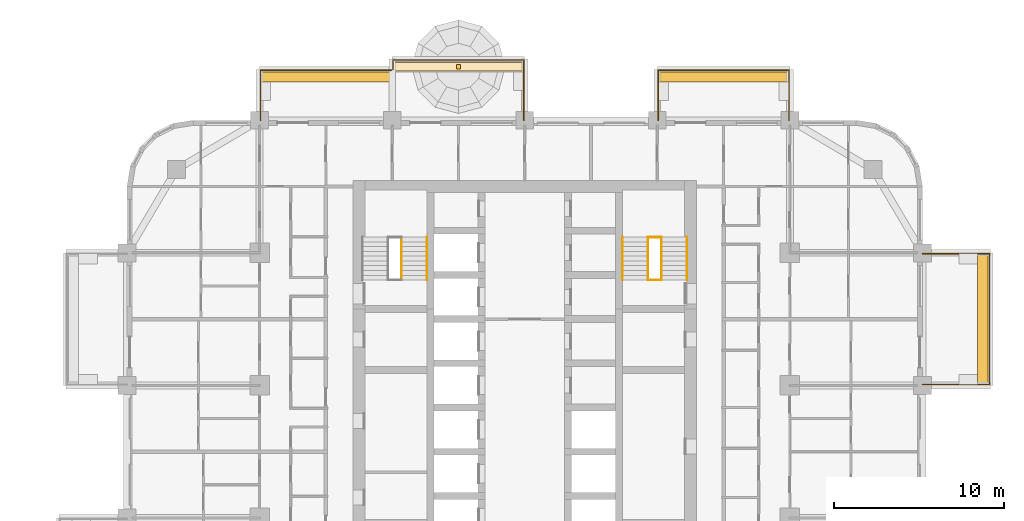
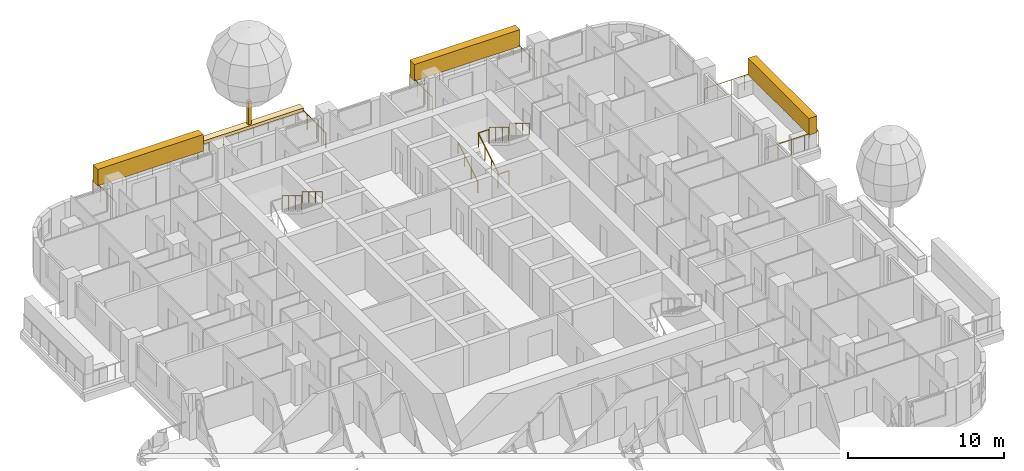
# One storey, part 17 of 18: 12 railings, 5 coverings, 2 elements without a shape of their own.
"""IFC4 building model written with IfcOpenShell, lengths in metres."""

from ifc_helpers import new_model, si_unit, direction, frame, origin, origin_2d, place, context, subcontext, project, spatial, rectangle, circle, extrude, material, layer, layer_set, type_object, element, aggregate, save


model = new_model("IFC4")

# Units and contexts
model_context = context("Model", 3, precision=1e-05, world=origin(), true_north=direction((0.0, 1.0)))
body_context = subcontext(model_context, "Body", "Model", "MODEL_VIEW")
ifc_project = project(units=[si_unit("LENGTHUNIT", "METRE"), si_unit("AREAUNIT", "SQUARE_METRE"), si_unit("VOLUMEUNIT", "CUBIC_METRE"), si_unit("PLANEANGLEUNIT", "RADIAN"), si_unit("MASSUNIT", "GRAM", prefix="KILO")], contexts=[model_context])

# Site, building, storey
site_placement = place(None, origin())
site = spatial("IfcSite", under=ifc_project, at=site_placement, CompositionType="ELEMENT")
building_placement = place(site_placement, origin())
building = spatial("IfcBuilding", under=site, at=building_placement, Name="Ludao Terraces", CompositionType="ELEMENT")
storey_placement = place(building_placement, frame((0.0, 0.0, 26.300048828125)))
storey = spatial("IfcBuildingStorey", under=building, at=storey_placement, Name="L06", CompositionType="ELEMENT", Elevation=26.300048828125)

# Railings
ifc_material_1 = material(Name="Stainless steel 304", Category="steel")
railing_type_1 = type_object("IfcRailingType", Name="ENV Balcony glass guard 1200", PredefinedType="GUARDRAIL", material=ifc_material_1)
railing_1_placement = place(storey_placement, frame((108.39990234375, 72.85009765625, 0.0)))
element("IfcRailing", 1, at=railing_1_placement, inside=storey, type_object=railing_type_1, Name="Balcony guard L06 E4", PredefinedType="GUARDRAIL", context=body_context, shape_type="SweptSolid", body=[
    extrude(circle(Radius=0.02392578125, at=origin_2d()), frame((0.0, 0.0, 1.17578125), z_axis=(1.0, 0.0, 0.0), x_axis=(0.0, 1.0, 0.0)), (0.0, 0.0, 1.0), 3.9501953125),
    extrude(circle(Radius=0.02392578125, at=origin_2d()), frame((3.9501953125, 0.0, 1.17578125), z_axis=(0.0, 1.0, 0.0), x_axis=(-1.0, 0.0, 0.0)), (0.0, 0.0, 1.0), 7.699951171875),
    extrude(circle(Radius=0.02392578125, at=origin_2d()), frame((3.9501953125, 7.699951171875, 1.17578125), z_axis=(-1.0, 0.0, 0.0), x_axis=(0.0, -1.0, 0.0)), (0.0, 0.0, 1.0), 3.9501953125),
    extrude(circle(Radius=0.02099609375, at=origin_2d()), origin(), (0.0, 0.0, 1.0), 1.15185546875),
    extrude(circle(Radius=0.02099609375, at=origin_2d()), frame((0.987548828125, 0.0, 0.0)), (0.0, 0.0, 1.0), 1.15185546875),
    extrude(circle(Radius=0.02099609375, at=origin_2d()), frame((1.97509765625, 0.0, 0.0)), (0.0, 0.0, 1.0), 1.15185546875),
    extrude(circle(Radius=0.02099609375, at=origin_2d()), frame((2.962646484375, 0.0, 0.0)), (0.0, 0.0, 1.0), 1.15185546875),
    extrude(circle(Radius=0.02099609375, at=origin_2d()), frame((3.9501953125, 0.0, 0.0)), (0.0, 0.0, 1.0), 1.15185546875),
    extrude(circle(Radius=0.02099609375, at=origin_2d()), frame((3.9501953125, 1.10009765625, 0.0)), (0.0, 0.0, 1.0), 1.15185546875),
    extrude(circle(Radius=0.02099609375, at=origin_2d()), frame((3.9501953125, 2.199951171875, 0.0)), (0.0, 0.0, 1.0), 1.15185546875),
    extrude(circle(Radius=0.02099609375, at=origin_2d()), frame((3.9501953125, 3.300048828125, 0.0)), (0.0, 0.0, 1.0), 1.15185546875),
    extrude(circle(Radius=0.02099609375, at=origin_2d()), frame((3.9501953125, 4.39990234375, 0.0)), (0.0, 0.0, 1.0), 1.15185546875),
    extrude(circle(Radius=0.02099609375, at=origin_2d()), frame((3.9501953125, 5.5, 0.0)), (0.0, 0.0, 1.0), 1.15185546875),
    extrude(circle(Radius=0.02099609375, at=origin_2d()), frame((3.9501953125, 6.599853515625, 0.0)), (0.0, 0.0, 1.0), 1.15185546875),
    extrude(circle(Radius=0.02099609375, at=origin_2d()), frame((3.9501953125, 7.699951171875, 0.0)), (0.0, 0.0, 1.0), 1.15185546875),
    extrude(circle(Radius=0.02099609375, at=origin_2d()), frame((2.962646484375, 7.699951171875, 0.0)), (0.0, 0.0, 1.0), 1.15185546875),
    extrude(circle(Radius=0.02099609375, at=origin_2d()), frame((1.97509765625, 7.699951171875, 0.0)), (0.0, 0.0, 1.0), 1.15185546875),
    extrude(circle(Radius=0.02099609375, at=origin_2d()), frame((0.987548828125, 7.699951171875, 0.0)), (0.0, 0.0, 1.0), 1.15185546875),
    extrude(circle(Radius=0.02099609375, at=origin_2d()), frame((0.0, 7.699951171875, 0.0)), (0.0, 0.0, 1.0), 1.15185546875),
])
railing_2_placement = place(storey_placement, frame((69.449951171875, 88.39990234375, 0.0)))
element("IfcRailing", 2, at=railing_2_placement, inside=storey, type_object=railing_type_1, Name="Balcony guard L06 N1", PredefinedType="GUARDRAIL", context=body_context, shape_type="SweptSolid", body=[
    extrude(circle(Radius=0.02392578125, at=origin_2d()), frame((0.0, 0.0, 1.17578125), z_axis=(0.0, 1.0, 0.0), x_axis=(-1.0, 0.0, 0.0)), (0.0, 0.0, 1.0), 2.9501953125),
    extrude(circle(Radius=0.02392578125, at=origin_2d()), frame((0.0, 2.9501953125, 1.17578125), z_axis=(1.0, 0.0, 0.0), x_axis=(0.0, 1.0, 0.0)), (0.0, 0.0, 1.0), 7.699951171875),
    extrude(circle(Radius=0.02099609375, at=origin_2d()), origin(), (0.0, 0.0, 1.0), 1.15185546875),
    extrude(circle(Radius=0.02099609375, at=origin_2d()), frame((0.0, 0.9833984375, 0.0)), (0.0, 0.0, 1.0), 1.15185546875),
    extrude(circle(Radius=0.02099609375, at=origin_2d()), frame((0.0, 1.966796875, 0.0)), (0.0, 0.0, 1.0), 1.15185546875),
    extrude(circle(Radius=0.02099609375, at=origin_2d()), frame((0.0, 2.9501953125, 0.0)), (0.0, 0.0, 1.0), 1.15185546875),
    extrude(circle(Radius=0.02099609375, at=origin_2d()), frame((1.10009765625, 2.9501953125, 0.0)), (0.0, 0.0, 1.0), 1.15185546875),
    extrude(circle(Radius=0.02099609375, at=origin_2d()), frame((2.199951171875, 2.9501953125, 0.0)), (0.0, 0.0, 1.0), 1.15185546875),
    extrude(circle(Radius=0.02099609375, at=origin_2d()), frame((3.300048828125, 2.9501953125, 0.0)), (0.0, 0.0, 1.0), 1.15185546875),
    extrude(circle(Radius=0.02099609375, at=origin_2d()), frame((4.39990234375, 2.9501953125, 0.0)), (0.0, 0.0, 1.0), 1.15185546875),
    extrude(circle(Radius=0.02099609375, at=origin_2d()), frame((5.5, 2.9501953125, 0.0)), (0.0, 0.0, 1.0), 1.15185546875),
    extrude(circle(Radius=0.02099609375, at=origin_2d()), frame((6.599853515625, 2.9501953125, 0.0)), (0.0, 0.0, 1.0), 1.15185546875),
    extrude(circle(Radius=0.02099609375, at=origin_2d()), frame((7.699951171875, 2.9501953125, 0.0)), (0.0, 0.0, 1.0), 1.15185546875),
])
railing_3_placement = place(storey_placement, frame((77.25, 91.39990234375, 0.0)))
element("IfcRailing", 3, at=railing_3_placement, inside=storey, type_object=railing_type_1, Name="Balcony guard L06 N2", PredefinedType="GUARDRAIL", context=body_context, shape_type="SweptSolid", body=[
    extrude(circle(Radius=0.02392578125, at=origin_2d()), frame((0.0, 0.0, 1.17578125), z_axis=(0.0, 1.0, 0.0), x_axis=(-1.0, 0.0, 0.0)), (0.0, 0.0, 1.0), 0.550048828125),
    extrude(circle(Radius=0.02392578125, at=origin_2d()), frame((0.0, 0.550048828125, 1.17578125), z_axis=(1.0, 0.0, 0.0), x_axis=(0.0, 1.0, 0.0)), (0.0, 0.0, 1.0), 7.699951171875),
    extrude(circle(Radius=0.02392578125, at=origin_2d()), frame((7.699951171875, 0.550048828125, 1.17578125), z_axis=(0.0, -1.0, 0.0), x_axis=(1.0, 0.0, 0.0)), (0.0, 0.0, 1.0), 3.550048828125),
    extrude(circle(Radius=0.02099609375, at=origin_2d()), origin(), (0.0, 0.0, 1.0), 1.15185546875),
    extrude(circle(Radius=0.02099609375, at=origin_2d()), frame((0.0, 0.550048828125, 0.0)), (0.0, 0.0, 1.0), 1.15185546875),
    extrude(circle(Radius=0.02099609375, at=origin_2d()), frame((1.10009765625, 0.550048828125, 0.0)), (0.0, 0.0, 1.0), 1.15185546875),
    extrude(circle(Radius=0.02099609375, at=origin_2d()), frame((2.199951171875, 0.550048828125, 0.0)), (0.0, 0.0, 1.0), 1.15185546875),
    extrude(circle(Radius=0.02099609375, at=origin_2d()), frame((3.300048828125, 0.550048828125, 0.0)), (0.0, 0.0, 1.0), 1.15185546875),
    extrude(circle(Radius=0.02099609375, at=origin_2d()), frame((4.39990234375, 0.550048828125, 0.0)), (0.0, 0.0, 1.0), 1.15185546875),
    extrude(circle(Radius=0.02099609375, at=origin_2d()), frame((5.5, 0.550048828125, 0.0)), (0.0, 0.0, 1.0), 1.15185546875),
    extrude(circle(Radius=0.02099609375, at=origin_2d()), frame((6.599853515625, 0.550048828125, 0.0)), (0.0, 0.0, 1.0), 1.15185546875),
    extrude(circle(Radius=0.02099609375, at=origin_2d()), frame((7.699951171875, 0.550048828125, 0.0)), (0.0, 0.0, 1.0), 1.15185546875),
    extrude(circle(Radius=0.02099609375, at=origin_2d()), frame((7.699951171875, -0.63330078125, 0.0)), (0.0, 0.0, 1.0), 1.15185546875),
    extrude(circle(Radius=0.02099609375, at=origin_2d()), frame((7.699951171875, -1.816650390625, 0.0)), (0.0, 0.0, 1.0), 1.15185546875),
    extrude(circle(Radius=0.02099609375, at=origin_2d()), frame((7.699951171875, -3.0, 0.0)), (0.0, 0.0, 1.0), 1.15185546875),
])
railing_4_placement = place(storey_placement, frame((92.85009765625, 88.39990234375, 0.0)))
element("IfcRailing", 4, at=railing_4_placement, inside=storey, type_object=railing_type_1, Name="Balcony guard L06 N4", PredefinedType="GUARDRAIL", context=body_context, shape_type="SweptSolid", body=[
    extrude(circle(Radius=0.02392578125, at=origin_2d()), frame((0.0, 0.0, 1.17578125), z_axis=(0.0, 1.0, 0.0), x_axis=(-1.0, 0.0, 0.0)), (0.0, 0.0, 1.0), 2.9501953125),
    extrude(circle(Radius=0.02392578125, at=origin_2d()), frame((0.0, 2.9501953125, 1.17578125), z_axis=(1.0, 0.0, 0.0), x_axis=(0.0, 1.0, 0.0)), (0.0, 0.0, 1.0), 7.699951171875),
    extrude(circle(Radius=0.02392578125, at=origin_2d()), frame((7.699951171875, 2.9501953125, 1.17578125), z_axis=(0.0, -1.0, 0.0), x_axis=(1.0, 0.0, 0.0)), (0.0, 0.0, 1.0), 2.9501953125),
    extrude(circle(Radius=0.02099609375, at=origin_2d()), origin(), (0.0, 0.0, 1.0), 1.15185546875),
    extrude(circle(Radius=0.02099609375, at=origin_2d()), frame((0.0, 0.9833984375, 0.0)), (0.0, 0.0, 1.0), 1.15185546875),
    extrude(circle(Radius=0.02099609375, at=origin_2d()), frame((0.0, 1.966796875, 0.0)), (0.0, 0.0, 1.0), 1.15185546875),
    extrude(circle(Radius=0.02099609375, at=origin_2d()), frame((0.0, 2.9501953125, 0.0)), (0.0, 0.0, 1.0), 1.15185546875),
    extrude(circle(Radius=0.02099609375, at=origin_2d()), frame((1.10009765625, 2.9501953125, 0.0)), (0.0, 0.0, 1.0), 1.15185546875),
    extrude(circle(Radius=0.02099609375, at=origin_2d()), frame((2.199951171875, 2.9501953125, 0.0)), (0.0, 0.0, 1.0), 1.15185546875),
    extrude(circle(Radius=0.02099609375, at=origin_2d()), frame((3.300048828125, 2.9501953125, 0.0)), (0.0, 0.0, 1.0), 1.15185546875),
    extrude(circle(Radius=0.02099609375, at=origin_2d()), frame((4.39990234375, 2.9501953125, 0.0)), (0.0, 0.0, 1.0), 1.15185546875),
    extrude(circle(Radius=0.02099609375, at=origin_2d()), frame((5.5, 2.9501953125, 0.0)), (0.0, 0.0, 1.0), 1.15185546875),
    extrude(circle(Radius=0.02099609375, at=origin_2d()), frame((6.599853515625, 2.9501953125, 0.0)), (0.0, 0.0, 1.0), 1.15185546875),
    extrude(circle(Radius=0.02099609375, at=origin_2d()), frame((7.699951171875, 2.9501953125, 0.0)), (0.0, 0.0, 1.0), 1.15185546875),
    extrude(circle(Radius=0.02099609375, at=origin_2d()), frame((7.699951171875, 1.966796875, 0.0)), (0.0, 0.0, 1.0), 1.15185546875),
    extrude(circle(Radius=0.02099609375, at=origin_2d()), frame((7.699951171875, 0.9833984375, 0.0)), (0.0, 0.0, 1.0), 1.15185546875),
    extrude(circle(Radius=0.02099609375, at=origin_2d()), frame((7.699951171875, 0.0, 0.0)), (0.0, 0.0, 1.0), 1.15185546875),
])

# Coverings
ifc_material_2 = material(Name="Planting")
ifc_layer_1 = layer(ifc_material_2, 0.5)
ifc_layer_set_1 = layer_set([ifc_layer_1], Name="ENV Planting bed 250")
covering_type_1 = type_object("IfcCoveringType", Name="ENV Planting bed 250", PredefinedType="USERDEFINED", material=ifc_layer_set_1)
covering_1_placement = place(storey_placement, frame((81.10009765625, 91.550048828125, 1.099853515625), z_axis=(0.0, 0.0, 1.0), x_axis=(1.0, 0.0, 0.0)))
element("IfcCovering", 5, at=covering_1_placement, inside=storey, type_object=covering_type_1, Name="Planting bed L06-N2", ObjectType="PLANTING", PredefinedType="USERDEFINED", context=body_context, shape_type="SweptSolid", body=[
    extrude(rectangle(XDim=7.800048828125, YDim=0.5, at=origin_2d()), origin(), (0.0, 0.0, 1.0), 0.25),
])
ifc_layer_2 = layer(ifc_material_2, 0.60009765625)
ifc_layer_set_2 = layer_set([ifc_layer_2], Name="ENV Planting hedge 600x1300")
covering_type_2 = type_object("IfcCoveringType", Name="ENV Planting hedge 600x1300", PredefinedType="USERDEFINED", material=ifc_layer_set_2)
covering_2_placement = place(storey_placement, frame((111.949951171875, 76.699951171875, 1.10009765625), z_axis=(0.0, 0.0, 1.0), x_axis=(1.0, 0.0, 0.0)))
element("IfcCovering", 6, at=covering_2_placement, inside=storey, type_object=covering_type_2, Name="Planting hedge L06-E4", ObjectType="PLANTING", PredefinedType="USERDEFINED", context=body_context, shape_type="SweptSolid", body=[
    extrude(rectangle(XDim=0.60009765625, YDim=7.800048828125, at=origin_2d()), origin(), (0.0, 0.0, 1.0), 1.300048828125),
])
for number, where, z_axis, x_axis, name in (
    (7, (73.300048828125, 90.949951171875, 1.10009765625), (0.0, 0.0, 1.0), (1.0, 0.0, 0.0), "Planting hedge L06-N1"),
    (8, (96.699951171875, 90.949951171875, 1.10009765625), (0.0, 0.0, 1.0), (1.0, 0.0, 0.0), "Planting hedge L06-N4"),
):
    element("IfcCovering", number, at=place(storey_placement, frame(where, z_axis=z_axis, x_axis=x_axis)), inside=storey, type_object=covering_type_2, Name=name, ObjectType="PLANTING", PredefinedType="USERDEFINED", context=body_context, shape_type="SweptSolid", body=[
        extrude(rectangle(XDim=7.800048828125, YDim=0.60009765625, at=origin_2d()), origin(), (0.0, 0.0, 1.0), 1.300048828125),
    ])
ifc_material_3 = material(Name="Timber tree trunk", Category="wood")
ifc_layer_3 = layer(ifc_material_3, 0.25)
ifc_layer_set_3 = layer_set([ifc_layer_3], Name="ENV Tree trunk 250x1800")
covering_type_3 = type_object("IfcCoveringType", Name="ENV Tree trunk 250x1800", PredefinedType="USERDEFINED", material=ifc_layer_set_3)
covering_3_placement = place(storey_placement, frame((81.10009765625, 91.550048828125, 1.35009765625), z_axis=(0.0, 0.0, 1.0), x_axis=(1.0, 0.0, 0.0)))
element("IfcCovering", 9, at=covering_3_placement, inside=storey, type_object=covering_type_3, Name="Tree trunk L06 N2", ObjectType="PLANTING", PredefinedType="USERDEFINED", context=body_context, shape_type="SweptSolid", body=[
    extrude(rectangle(XDim=0.25, YDim=0.25, at=origin_2d()), origin(), (0.0, 0.0, 1.0), 1.800048828125),
])

# Stair, railing
ifc_material_4 = material(Name="Concrete C40", Category="concrete")
stair_type = type_object("IfcStairType", Name="INT Stair", PredefinedType="HALF_TURN_STAIR", material=ifc_material_4)
stair_1_placement = place(storey_placement, origin())
stair_1 = element("IfcStair", 10, at=stair_1_placement, inside=storey, type_object=stair_type, Name="EXIT STAIR 1", PredefinedType="HALF_TURN_STAIR")
railing_type_2 = type_object("IfcRailingType", Name="INT Stair guard 1100", PredefinedType="GUARDRAIL", material=ifc_material_1)
railing_5_placement = place(storey_placement, frame((77.75, 81.52001953125, 1.869873046875)))
railing_5 = element("IfcRailing", 11, at=railing_5_placement, type_object=railing_type_2, Name="ST-L06-S1-R2G", PredefinedType="GUARDRAIL", context=body_context, shape_type="SweptSolid", body=[
    extrude(circle(Radius=0.02392578125, at=origin_2d()), frame((0.0, 0.0, 1.076171875), z_axis=(0.0, -0.85478489116, 0.518982456201), x_axis=(1.0, 0.0, 0.0)), (0.0, 0.0, 1.0), 2.9482421875),
    extrude(circle(Radius=0.02099609375, at=origin_2d()), origin(), (0.0, 0.0, 1.0), 1.052001953125),
    extrude(circle(Radius=0.02099609375, at=origin_2d()), frame((0.0, -0.840087890625, 0.510009765625)), (0.0, 0.0, 1.0), 1.052001953125),
    extrude(circle(Radius=0.02099609375, at=origin_2d()), frame((0.0, -1.679931640625, 1.02001953125)), (0.0, 0.0, 1.0), 1.052001953125),
    extrude(circle(Radius=0.02099609375, at=origin_2d()), frame((0.0, -2.52001953125, 1.530029296875)), (0.0, 0.0, 1.0), 1.052001953125),
])

# Stair, railings
stair_2_placement = place(storey_placement, origin())
stair_2 = element("IfcStair", 12, at=stair_2_placement, inside=storey, type_object=stair_type, Name="EXIT STAIR 2", PredefinedType="HALF_TURN_STAIR")
railing_6_placement = place(storey_placement, frame((92.25, 79.0, 0.169921875)))
railing_6 = element("IfcRailing", 13, at=railing_6_placement, type_object=railing_type_2, Name="ST-L06-S2-R1G", PredefinedType="GUARDRAIL", context=body_context, shape_type="SweptSolid", body=[
    extrude(circle(Radius=0.02392578125, at=origin_2d()), frame((0.0, 0.0, 1.076171875), z_axis=(0.0, 0.85478489116, 0.518982456201), x_axis=(-1.0, 0.0, 0.0)), (0.0, 0.0, 1.0), 2.9482421875),
    extrude(circle(Radius=0.02099609375, at=origin_2d()), origin(), (0.0, 0.0, 1.0), 1.052001953125),
    extrude(circle(Radius=0.02099609375, at=origin_2d()), frame((0.0, 0.840087890625, 0.510009765625)), (0.0, 0.0, 1.0), 1.052001953125),
    extrude(circle(Radius=0.02099609375, at=origin_2d()), frame((0.0, 1.679931640625, 1.02001953125)), (0.0, 0.0, 1.0), 1.052001953125),
    extrude(circle(Radius=0.02099609375, at=origin_2d()), frame((0.0, 2.52001953125, 1.530029296875)), (0.0, 0.0, 1.0), 1.052001953125),
])
railing_7_placement = place(storey_placement, frame((93.050048828125, 81.52001953125, 1.869873046875)))
railing_7 = element("IfcRailing", 14, at=railing_7_placement, type_object=railing_type_2, Name="ST-L06-S2-R2G", PredefinedType="GUARDRAIL", context=body_context, shape_type="SweptSolid", body=[
    extrude(circle(Radius=0.02392578125, at=origin_2d()), frame((0.0, 0.0, 1.076171875), z_axis=(0.0, -0.85478489116, 0.518982456201), x_axis=(1.0, 0.0, 0.0)), (0.0, 0.0, 1.0), 2.9482421875),
    extrude(circle(Radius=0.02099609375, at=origin_2d()), origin(), (0.0, 0.0, 1.0), 1.052001953125),
    extrude(circle(Radius=0.02099609375, at=origin_2d()), frame((0.0, -0.840087890625, 0.510009765625)), (0.0, 0.0, 1.0), 1.052001953125),
    extrude(circle(Radius=0.02099609375, at=origin_2d()), frame((0.0, -1.679931640625, 1.02001953125)), (0.0, 0.0, 1.0), 1.052001953125),
    extrude(circle(Radius=0.02099609375, at=origin_2d()), frame((0.0, -2.52001953125, 1.530029296875)), (0.0, 0.0, 1.0), 1.052001953125),
])
railing_8_placement = place(storey_placement, frame((92.25, 81.52001953125, 1.699951171875)))
railing_8 = element("IfcRailing", 15, at=railing_8_placement, type_object=railing_type_2, Name="ST-L06-S2-E1G", PredefinedType="GUARDRAIL", context=body_context, shape_type="SweptSolid", body=[
    extrude(circle(Radius=0.02392578125, at=origin_2d()), frame((0.0, 0.0, 1.076171875), z_axis=(1.0, 0.0, 0.0), x_axis=(0.0, 1.0, 0.0)), (0.0, 0.0, 1.0), 0.800048828125),
    extrude(circle(Radius=0.02099609375, at=origin_2d()), origin(), (0.0, 0.0, 1.0), 1.052001953125),
    extrude(circle(Radius=0.02099609375, at=origin_2d()), frame((0.800048828125, 0.0, 0.0)), (0.0, 0.0, 1.0), 1.052001953125),
])
railing_9_placement = place(storey_placement, frame((92.25, 79.0, 0.0)))
railing_9 = element("IfcRailing", 16, at=railing_9_placement, type_object=railing_type_2, Name="ST-L06-S2-E2G", PredefinedType="GUARDRAIL", context=body_context, shape_type="SweptSolid", body=[
    extrude(circle(Radius=0.02392578125, at=origin_2d()), frame((0.0, 0.0, 1.076171875), z_axis=(1.0, 0.0, 0.0), x_axis=(0.0, 1.0, 0.0)), (0.0, 0.0, 1.0), 0.800048828125),
    extrude(circle(Radius=0.02099609375, at=origin_2d()), origin(), (0.0, 0.0, 1.0), 1.052001953125),
    extrude(circle(Radius=0.02099609375, at=origin_2d()), frame((0.800048828125, 0.0, 0.0)), (0.0, 0.0, 1.0), 1.052001953125),
])

# Railing
railing_type_3 = type_object("IfcRailingType", Name="INT Stair handrail 900", PredefinedType="HANDRAIL", material=ifc_material_1)
railing_10_placement = place(storey_placement, frame((79.25, 81.52001953125, 1.869873046875)))
railing_10 = element("IfcRailing", 17, at=railing_10_placement, type_object=railing_type_3, Name="ST-L06-S1-R2H", PredefinedType="HANDRAIL", context=body_context, shape_type="SweptSolid", body=[
    extrude(circle(Radius=0.02392578125, at=origin_2d()), frame((0.0, 0.0, 0.8759765625), z_axis=(0.0, -0.85478489116, 0.518982456201), x_axis=(1.0, 0.0, 0.0)), (0.0, 0.0, 1.0), 2.9482421875),
    extrude(circle(Radius=0.02099609375, at=origin_2d()), origin(), (0.0, 0.0, 1.0), 0.851806640625),
    extrude(circle(Radius=0.02099609375, at=origin_2d()), frame((0.0, -0.840087890625, 0.510009765625)), (0.0, 0.0, 1.0), 0.851806640625),
    extrude(circle(Radius=0.02099609375, at=origin_2d()), frame((0.0, -1.679931640625, 1.02001953125)), (0.0, 0.0, 1.0), 0.851806640625),
    extrude(circle(Radius=0.02099609375, at=origin_2d()), frame((0.0, -2.52001953125, 1.530029296875)), (0.0, 0.0, 1.0), 0.851806640625),
])

aggregate(stair_1, [railing_5, railing_10])

railing_11_placement = place(storey_placement, frame((90.75, 79.0, 0.169921875)))
railing_11 = element("IfcRailing", 18, at=railing_11_placement, type_object=railing_type_3, Name="ST-L06-S2-R1H", PredefinedType="HANDRAIL", context=body_context, shape_type="SweptSolid", body=[
    extrude(circle(Radius=0.02392578125, at=origin_2d()), frame((0.0, 0.0, 0.8759765625), z_axis=(0.0, 0.85478489116, 0.518982456201), x_axis=(-1.0, 0.0, 0.0)), (0.0, 0.0, 1.0), 2.9482421875),
    extrude(circle(Radius=0.02099609375, at=origin_2d()), origin(), (0.0, 0.0, 1.0), 0.851806640625),
    extrude(circle(Radius=0.02099609375, at=origin_2d()), frame((0.0, 0.840087890625, 0.510009765625)), (0.0, 0.0, 1.0), 0.851806640625),
    extrude(circle(Radius=0.02099609375, at=origin_2d()), frame((0.0, 1.679931640625, 1.02001953125)), (0.0, 0.0, 1.0), 0.851806640625),
    extrude(circle(Radius=0.02099609375, at=origin_2d()), frame((0.0, 2.52001953125, 1.530029296875)), (0.0, 0.0, 1.0), 0.851806640625),
])

railing_12_placement = place(storey_placement, frame((94.550048828125, 81.52001953125, 1.869873046875)))
railing_12 = element("IfcRailing", 19, at=railing_12_placement, type_object=railing_type_3, Name="ST-L06-S2-R2H", PredefinedType="HANDRAIL", context=body_context, shape_type="SweptSolid", body=[
    extrude(circle(Radius=0.02392578125, at=origin_2d()), frame((0.0, 0.0, 0.8759765625), z_axis=(0.0, -0.85478489116, 0.518982456201), x_axis=(1.0, 0.0, 0.0)), (0.0, 0.0, 1.0), 2.9482421875),
    extrude(circle(Radius=0.02099609375, at=origin_2d()), origin(), (0.0, 0.0, 1.0), 0.851806640625),
    extrude(circle(Radius=0.02099609375, at=origin_2d()), frame((0.0, -0.840087890625, 0.510009765625)), (0.0, 0.0, 1.0), 0.851806640625),
    extrude(circle(Radius=0.02099609375, at=origin_2d()), frame((0.0, -1.679931640625, 1.02001953125)), (0.0, 0.0, 1.0), 0.851806640625),
    extrude(circle(Radius=0.02099609375, at=origin_2d()), frame((0.0, -2.52001953125, 1.530029296875)), (0.0, 0.0, 1.0), 0.851806640625),
])

aggregate(stair_2, [railing_6, railing_11, railing_7, railing_12, railing_8, railing_9])

save(model, "model.ifc")
